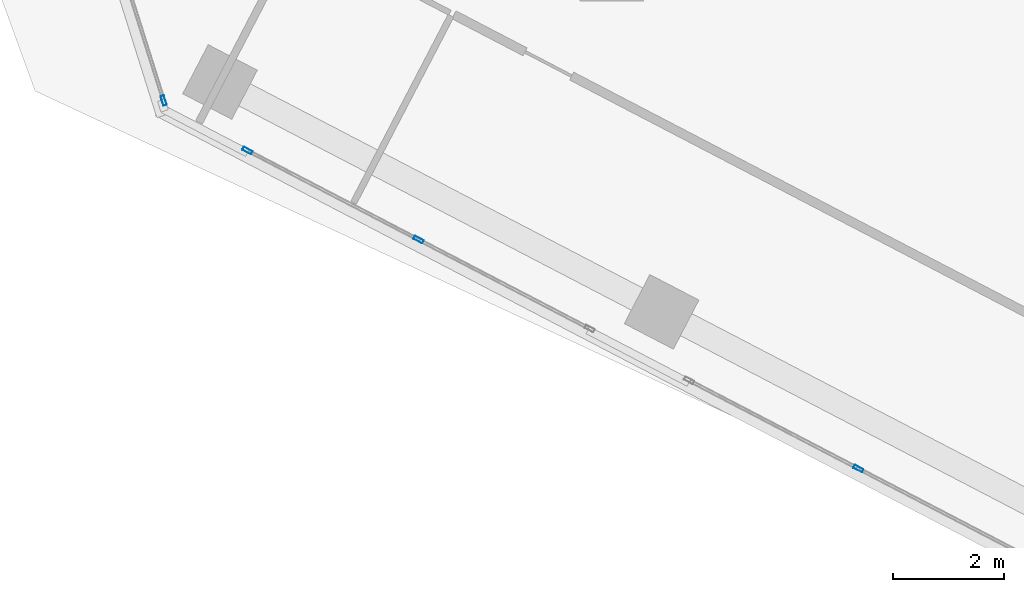
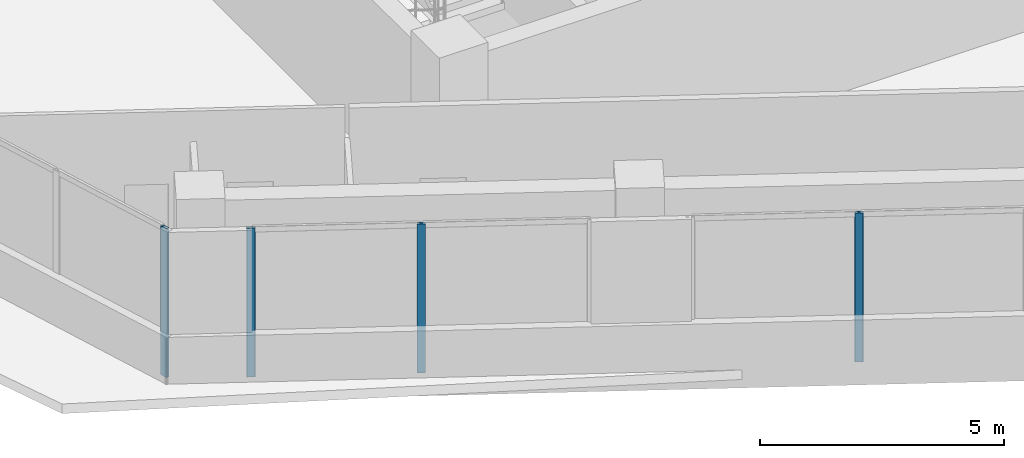
# One storey, part 2 of 22: 4 members, 3 elements without a shape of their own.
"""IFC4 building model written with IfcOpenShell, lengths in metres."""

import ifcopenshell
import ifcopenshell.guid

model = None  # the IFC model being written
_history = None  # IfcOwnerHistory: only IFC2X3 demands one
_inside = {}  # id of a spatial element -> (the spatial element, [elements in it])
_under = {}  # id of a project, library or spatial element -> (it, [spatial elements below it])
_declared = {}  # id of a project -> (the project, [libraries it declares])
_typed = {}  # id of a type object -> (the type object, [elements of that type])
_made_of = {}  # id of a material, layer set ... -> (it, [elements and type objects made of it])


def new_model(schema):
    """Start an empty IFC model of exactly this schema.

    Asked for "IFC4X3", IfcOpenShell would pick the latest addendum, in which some entities
    have other attributes; the version numbers below select the first issue.
    IFC2X3 requires an IfcOwnerHistory on every rooted entity: one is made here for all.
    """
    global model, _history
    if schema == "IFC4X3":
        model = ifcopenshell.file(schema_version=(4, 3, 0, 0))
    else:
        model = ifcopenshell.file(schema=schema)
    _inside.clear()
    _under.clear()
    _declared.clear()
    _typed.clear()
    _made_of.clear()
    _history = None
    if model.schema == "IFC2X3":
        org = make("IfcOrganization", Name="unknown")
        user = make(
            "IfcPersonAndOrganization",
            ThePerson=make("IfcPerson", FamilyName="unknown"),
            TheOrganization=org,
        )
        app = make(
            "IfcApplication",
            ApplicationDeveloper=org,
            Version="unknown",
            ApplicationFullName="unknown",
            ApplicationIdentifier="unknown",
        )
        _history = make(
            "IfcOwnerHistory",
            OwningUser=user,
            OwningApplication=app,
            ChangeAction="ADDED",
            CreationDate=0,
        )
    return model


def make(cls, **values):
    """One entity of the class cls with the attributes given. An attribute that is None is left unset."""
    return model.create_entity(
        cls, **{name: value for name, value in values.items() if value is not None}
    )


def rooted(cls, **values):
    """An entity with a GlobalId (a new one), such as an element, a storey or a relation."""
    return make(cls, GlobalId=ifcopenshell.guid.new(), OwnerHistory=_history, **values)


def si_unit(unit_type, name, prefix=None):
    """IfcSIUnit, for example si_unit("LENGTHUNIT", "METRE", prefix="MILLI")."""
    return make("IfcSIUnit", UnitType=unit_type, Prefix=prefix, Name=name)


def assignment(units):
    """IfcUnitAssignment: the units of a project."""
    return None if units is None else make("IfcUnitAssignment", Units=units)


def point(xyz):
    """IfcCartesianPoint."""
    return None if xyz is None else make("IfcCartesianPoint", Coordinates=xyz)


def direction(xyz):
    """IfcDirection."""
    return None if xyz is None else make("IfcDirection", DirectionRatios=xyz)


def frame(location, z_axis=None, x_axis=None):
    """IfcAxis2Placement3D, a coordinate frame: its origin and axes. An axis left out is left unset."""
    return make(
        "IfcAxis2Placement3D",
        Location=point(location),
        Axis=direction(z_axis),
        RefDirection=direction(x_axis),
    )


def frame_2d(location, x_axis=None):
    """IfcAxis2Placement2D, a coordinate frame in the plane: its origin and x axis."""
    return make(
        "IfcAxis2Placement2D", Location=point(location), RefDirection=direction(x_axis)
    )


def origin():
    """The frame at (0, 0, 0) with its axes left unset."""
    return frame((0.0, 0.0, 0.0))


def origin_2d():
    """The frame at (0, 0) in the plane with its x axis left unset."""
    return frame_2d((0.0, 0.0))


def place(relative_to, where):
    """IfcLocalPlacement: puts the frame where relative to a parent placement (None: the world)."""
    return make(
        "IfcLocalPlacement", PlacementRelTo=relative_to, RelativePlacement=where
    )


def context(
    kind, dimensions, precision=None, world=None, true_north=None, identifier=None
):
    """IfcGeometricRepresentationContext, for example the 3D "Model" context."""
    return make(
        "IfcGeometricRepresentationContext",
        ContextIdentifier=identifier,
        ContextType=kind,
        CoordinateSpaceDimension=dimensions,
        Precision=precision,
        WorldCoordinateSystem=world,
        TrueNorth=true_north,
    )


def subcontext(parent, identifier, kind, view, scale=None):
    """IfcGeometricRepresentationSubContext, for example "Body" below "Model"."""
    return make(
        "IfcGeometricRepresentationSubContext",
        ContextIdentifier=identifier,
        ContextType=kind,
        ParentContext=parent,
        TargetScale=scale,
        TargetView=view,
    )


def project(units=None, contexts=None):
    """IfcProject with its units and contexts."""
    return rooted(
        "IfcProject",
        Name="project",
        RepresentationContexts=contexts,
        UnitsInContext=assignment(units),
    )


def spatial(cls, under=None, at=None, **own):
    """A site, building, storey or space (cls), placed at a placement, below another one or the project."""
    s = rooted(cls, ObjectPlacement=at, **own)
    if under is not None:
        _under.setdefault(under.id(), (under, []))[1].append(s)
    return s


def profile(cls, at=None, kind="AREA", **sizes):
    """A parametric profile (cls). Its sizes go by their IFC names, for example OverallWidth=200.0."""
    return make(cls, ProfileType=kind, Position=at, **sizes)


def hollow_rectangle(**sizes):
    """IfcRectangleHollowProfileDef."""
    return profile("IfcRectangleHollowProfileDef", **sizes)


def extrude(swept, where, along, depth):
    """IfcExtrudedAreaSolid: the profile swept, set in the frame where, extruded along a direction by depth."""
    return make(
        "IfcExtrudedAreaSolid",
        SweptArea=swept,
        Position=where,
        ExtrudedDirection=direction(along),
        Depth=depth,
    )


def shape(context_of_items, identifier, shape_type, items):
    """IfcShapeRepresentation: the items that make up one representation, for example the "Body"."""
    return make(
        "IfcShapeRepresentation",
        ContextOfItems=context_of_items,
        RepresentationIdentifier=identifier,
        RepresentationType=shape_type,
        Items=items,
    )


def source(mapping_origin, context_of_items, identifier, shape_type, items):
    """IfcRepresentationMap: a shape defined once, which mapped items show again and again."""
    return make(
        "IfcRepresentationMap",
        MappingOrigin=mapping_origin,
        MappedRepresentation=shape(context_of_items, identifier, shape_type, items),
    )


def transform(
    local_origin,
    x_axis=None,
    y_axis=None,
    z_axis=None,
    scale=None,
    scale2=None,
    scale3=None,
    uniform=True,
):
    """IfcCartesianTransformationOperator3D, or its non-uniform kind. x_axis, y_axis, z_axis: its Axis1, 2, 3."""
    if uniform:
        return make(
            "IfcCartesianTransformationOperator3D",
            Axis1=direction(x_axis),
            Axis2=direction(y_axis),
            LocalOrigin=point(local_origin),
            Scale=scale,
            Axis3=direction(z_axis),
        )
    return make(
        "IfcCartesianTransformationOperator3DnonUniform",
        Axis1=direction(x_axis),
        Axis2=direction(y_axis),
        LocalOrigin=point(local_origin),
        Scale=scale,
        Axis3=direction(z_axis),
        Scale2=scale2,
        Scale3=scale3,
    )


def mapped(mapping_source, mapping_target):
    """IfcMappedItem: shows the shape of a source again, moved by a transform."""
    return make(
        "IfcMappedItem", MappingSource=mapping_source, MappingTarget=mapping_target
    )


def material(Name=None, Category=None):
    """IfcMaterial."""
    return make("IfcMaterial", Name=Name, Category=Category)


def material_profile(
    of_material, cross_section, Name=None, Category=None, Priority=None
):
    """IfcMaterialProfile: a cross section and its material."""
    return make(
        "IfcMaterialProfile",
        Name=Name,
        Material=of_material,
        Profile=cross_section,
        Priority=Priority,
        Category=Category,
    )


def profile_set(profiles, Name=None, composite=None):
    """IfcMaterialProfileSet."""
    return make(
        "IfcMaterialProfileSet",
        Name=Name,
        MaterialProfiles=profiles,
        CompositeProfile=composite,
    )


def made_of(thing, what):
    """Note that an element or type object is made of a material, layer set ...; save() writes the relation."""
    if what is not None:
        _made_of.setdefault(what.id(), (what, []))[1].append(thing)
    return thing


def type_object(cls, material=None, **own):
    """A type object (cls), such as IfcWallType, which elements share."""
    return made_of(rooted(cls, **own), material)


def element(
    cls,
    number,
    at=None,
    inside=None,
    cuts=None,
    type_object=None,
    material=None,
    context=None,
    identifier="Body",
    shape_type=None,
    held_by="IfcProductDefinitionShape",
    body=None,
    shapes=None,
    **own,
):
    """One element of the class cls, such as IfcWall. Its Tag is "e" and its number.

    at: its placement. inside: the storey or other place that contains it. cuts: it is an
    opening in that element (IfcRelVoidsElement). A single representation is given by context,
    identifier, shape_type and body (its items); several are given by shapes. held_by: the class
    of the entity that holds the representations. save() writes the other relations.
    """
    e = rooted(cls, Tag="e%d" % number, ObjectPlacement=at, **own)
    if body is not None:
        shapes = [shape(context, identifier, shape_type, body)]
    if shapes is not None:
        e.Representation = make(held_by, Representations=shapes)
    if inside is not None:
        _inside.setdefault(inside.id(), (inside, []))[1].append(e)
    if cuts is not None:
        rooted(
            "IfcRelVoidsElement", RelatingBuildingElement=cuts, RelatedOpeningElement=e
        )
    if type_object is not None:
        _typed.setdefault(type_object.id(), (type_object, []))[1].append(e)
    return made_of(e, material)


def aggregate(whole, parts):
    """IfcRelAggregates: a whole, such as a stair, and the parts it consists of."""
    return rooted("IfcRelAggregates", RelatingObject=whole, RelatedObjects=parts)


def save(model, path):
    """Write the relations noted so far, then the file.

    IfcRelAggregates (storeys below a building ...), IfcRelContainedInSpatialStructure (elements
    in a storey), IfcRelDefinesByType, IfcRelAssociatesMaterial and IfcRelDeclares: one each for
    every whole, place, type object, material and project.
    """
    for whole, parts in _under.values():
        aggregate(whole, parts)
    for where, things in _inside.values():
        rooted(
            "IfcRelContainedInSpatialStructure",
            RelatedElements=things,
            RelatingStructure=where,
        )
    for kind, things in _typed.values():
        rooted("IfcRelDefinesByType", RelatedObjects=things, RelatingType=kind)
    for what, things in _made_of.values():
        rooted("IfcRelAssociatesMaterial", RelatedObjects=things, RelatingMaterial=what)
    for by, libraries in _declared.values():
        rooted("IfcRelDeclares", RelatingContext=by, RelatedDefinitions=libraries)
    model.write(path)


model = new_model("IFC4")

# Units and contexts
model_context = context("Model", 3, precision=1e-05, world=origin(), true_north=direction((0.0, 1.0)))
body_context = subcontext(model_context, "Body", "Model", "MODEL_VIEW")
ifc_project = project(units=[si_unit("LENGTHUNIT", "METRE"), si_unit("AREAUNIT", "SQUARE_METRE"), si_unit("VOLUMEUNIT", "CUBIC_METRE"), si_unit("PLANEANGLEUNIT", "RADIAN"), si_unit("MASSUNIT", "GRAM", prefix="KILO")], contexts=[model_context])

# Site, building, storey
site_placement = place(None, origin())
site = spatial("IfcSite", under=ifc_project, at=site_placement, CompositionType="ELEMENT")
building_placement = place(site_placement, origin())
building = spatial("IfcBuilding", under=site, at=building_placement, Name="Torre Montelarca", CompositionType="ELEMENT")
storey_placement = place(building_placement, frame((0.0, 0.0, 166.60009765625)))
storey = spatial("IfcBuildingStorey", under=building, at=storey_placement, Name="L37", CompositionType="ELEMENT", Elevation=166.60009765625)

# Curtain wall, members
ifc_material_1 = material(Name="Insulated low-E laminated glass", Category="glass")
curtain_wall_type = type_object("IfcCurtainWallType", Name="CW-SYS-Z2", PredefinedType="USERDEFINED", material=ifc_material_1)
curtain_wall_1_placement = place(storey_placement, origin())
curtain_wall_1 = element("IfcCurtainWall", 1, at=curtain_wall_1_placement, inside=storey, type_object=curtain_wall_type, Name="L37 Curtain Wall Run CW-T3-L37-E01-B1", ObjectType="UNITISED GLAZING", PredefinedType="USERDEFINED")
ifc_material_2 = material(Name="Anodised aluminium AA 6063-T6", Category="aluminium")
ifc_material_profile = material_profile(ifc_material_2, hollow_rectangle(XDim=0.06494140625, YDim=0.179931640625, WallThickness=0.00390625, InnerFilletRadius=0.00390625, OuterFilletRadius=0.008056640625, at=origin_2d()), Name="ALU65X180X4", Category="aluminium")
ifc_profile_set = profile_set([ifc_material_profile], Name="Anodised aluminium AA 6063-T6")
member_type = type_object("IfcMemberType", Name="CWM-ALU180", PredefinedType="MULLION", material=ifc_profile_set)
shared_shape = source(origin(), body_context, "Body", "SweptSolid", [
    extrude(hollow_rectangle(XDim=0.06494140625, YDim=0.179931640625, WallThickness=0.00390625, InnerFilletRadius=0.00390625, OuterFilletRadius=0.008056640625, at=origin_2d()), origin(), (0.0, 0.0, 1.0), 3.719970703125),
])
member_1_placement = place(storey_placement, frame((2.966552734375, 21.27587890625, 0.0), z_axis=(0.0, 0.0, 1.0), x_axis=(0.461744924744, 0.887012753276, 0.0)))
member_1 = element("IfcMember", 2, at=member_1_placement, type_object=member_type, Name="CW mullion 1", PredefinedType="MULLION", context=body_context, shape_type="MappedRepresentation", body=[
    mapped(shared_shape, transform((0.0, 0.0, 0.0), scale=1.0)),
])
member_2_placement = place(storey_placement, frame((6.06005859375, 19.665771484375, 0.0), z_axis=(0.0, 0.0, 1.0), x_axis=(0.461744924744, 0.887012753276, 0.0)))
member_2 = element("IfcMember", 3, at=member_2_placement, type_object=member_type, Name="CW mullion 2", PredefinedType="MULLION", context=body_context, shape_type="MappedRepresentation", body=[
    mapped(shared_shape, transform((0.0, 0.0, 0.0), scale=1.0)),
])
aggregate(curtain_wall_1, [member_1, member_2])

# Curtain wall, member
curtain_wall_2_placement = place(storey_placement, origin())
curtain_wall_2 = element("IfcCurtainWall", 4, at=curtain_wall_2_placement, inside=storey, type_object=curtain_wall_type, Name="L37 Curtain Wall Run CW-T3-L37-E01-B2", ObjectType="UNITISED GLAZING", PredefinedType="USERDEFINED")
member_3_placement = place(storey_placement, frame((14.010009765625, 15.52734375, 0.0), z_axis=(0.0, 0.0, 1.0), x_axis=(0.461752765954, 0.887008671397, 0.0)))
member_3 = element("IfcMember", 5, at=member_3_placement, type_object=member_type, Name="CW mullion 2", PredefinedType="MULLION", context=body_context, shape_type="MappedRepresentation", body=[
    mapped(shared_shape, transform((0.0, 0.0, 0.0), scale=1.0)),
])
aggregate(curtain_wall_2, [member_3])

curtain_wall_3_placement = place(storey_placement, origin())
curtain_wall_3 = element("IfcCurtainWall", 6, at=curtain_wall_3_placement, inside=storey, type_object=curtain_wall_type, Name="L37 Curtain Wall Run CW-T3-L37-E11-B1", ObjectType="UNITISED GLAZING", PredefinedType="USERDEFINED")
member_4_placement = place(storey_placement, frame((1.451904296875, 22.1796875, 0.0), z_axis=(0.0, 0.0, 1.0), x_axis=(0.953723866137, 0.300683865815, 0.0)))
member_4 = element("IfcMember", 7, at=member_4_placement, type_object=member_type, Name="CW mullion 3", PredefinedType="MULLION", context=body_context, shape_type="MappedRepresentation", body=[
    mapped(shared_shape, transform((0.0, 0.0, 0.0), scale=1.0)),
])
aggregate(curtain_wall_3, [member_4])

save(model, "model.ifc")
